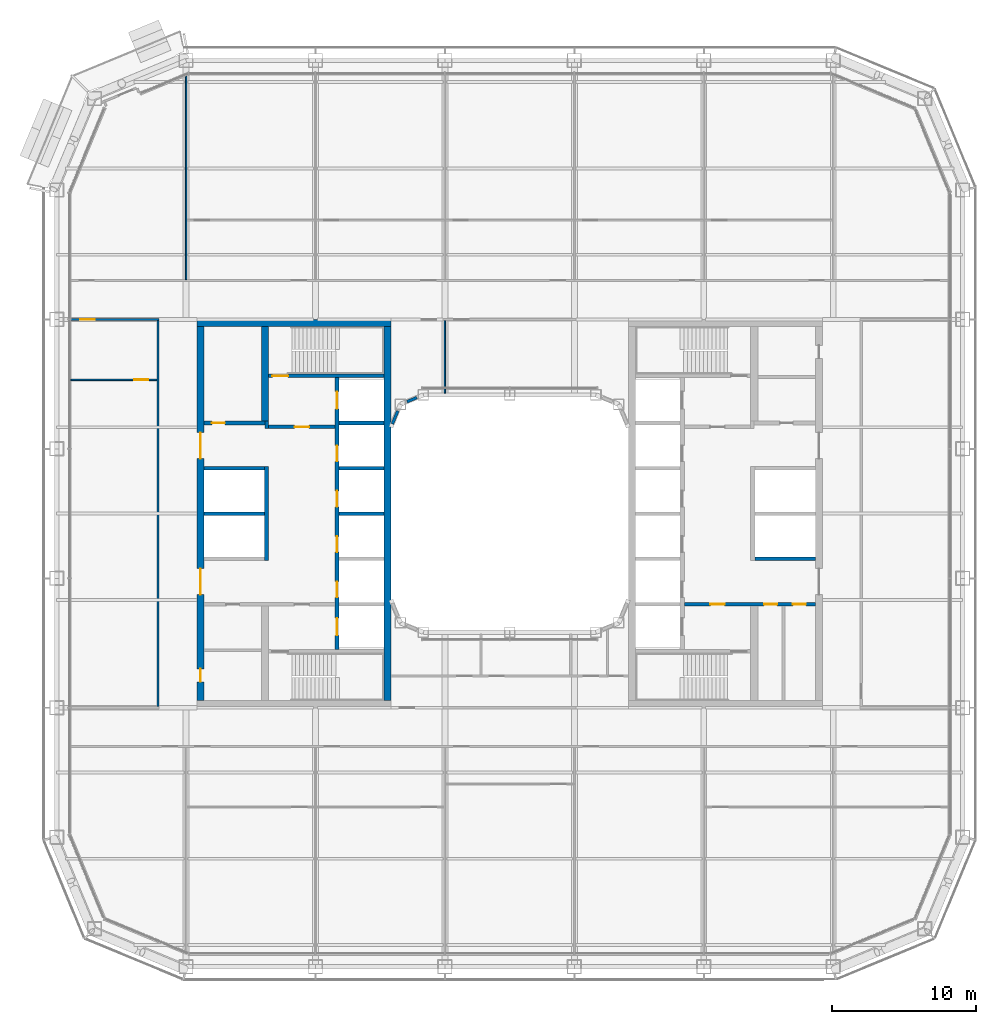
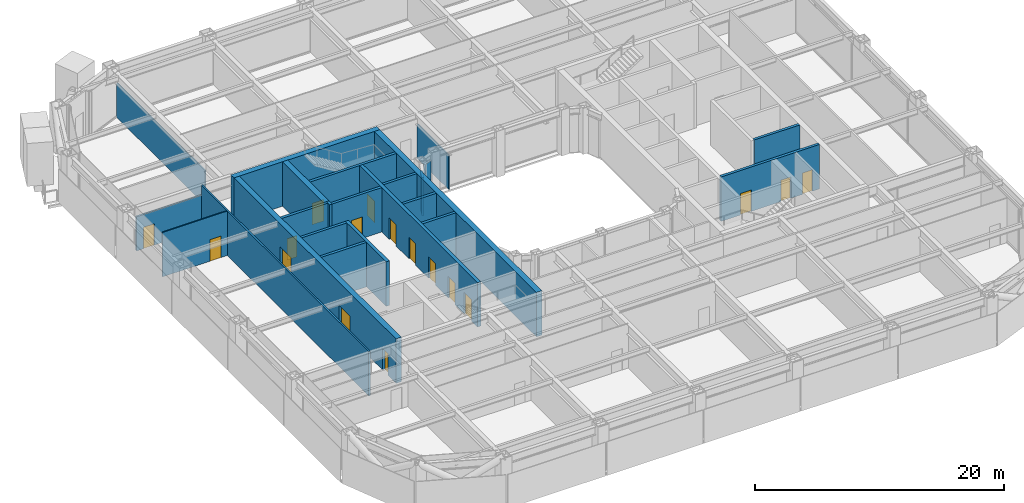
# One storey, part 14 of 29: 24 walls, 17 doors, 17 openings.
"""IFC4 building model written with IfcOpenShell, lengths in metres."""

from ifc_helpers import new_model, si_unit, direction, frame, frame_2d, origin, place, context, subcontext, project, spatial, rectangle, extrude, material, layer, layer_set, type_object, element, fill, save


model = new_model("IFC4")

# Units and contexts
model_context = context("Model", 3, precision=1e-05, world=origin(), true_north=direction((0.0, 1.0)))
body_context = subcontext(model_context, "Body", "Model", "MODEL_VIEW")
ifc_project = project(units=[si_unit("LENGTHUNIT", "METRE"), si_unit("AREAUNIT", "SQUARE_METRE"), si_unit("VOLUMEUNIT", "CUBIC_METRE"), si_unit("PLANEANGLEUNIT", "RADIAN"), si_unit("MASSUNIT", "GRAM", prefix="KILO")], contexts=[model_context])

# Site, building, storey
site_placement = place(None, origin())
site = spatial("IfcSite", under=ifc_project, at=site_placement, CompositionType="ELEMENT")
building_placement = place(site_placement, origin())
building = spatial("IfcBuilding", under=site, at=building_placement, Name="Siwar Civic Tower", CompositionType="ELEMENT")
storey_placement = place(building_placement, frame((0.0, 0.0, 67.199951171875)))
storey = spatial("IfcBuildingStorey", under=building, at=storey_placement, Name="L14", CompositionType="ELEMENT", Elevation=67.199951171875)

# Wall, opening, door
ifc_material_1 = material(Name="Concrete C60/75", Category="concrete")
ifc_layer_1 = layer(ifc_material_1, 0.25)
ifc_layer_set_1 = layer_set([ifc_layer_1], Name="Concrete C60/75")
wall_type_1 = type_object("IfcWallType", Name="CORE-WALL-RC250", PredefinedType="SHEAR", material=ifc_layer_set_1)
wall_1_placement = place(storey_placement, frame((-12.14990234375, 6.02490234375, 0.0), z_axis=(0.0, 0.0, 1.0), x_axis=(-1.0, 0.0, 0.0)))
wall_1 = element("IfcWall", 1, at=wall_1_placement, inside=storey, type_object=wall_type_1, Name="Core wall W", PredefinedType="SHEAR", context=body_context, shape_type="SweptSolid", body=[
    extrude(rectangle(XDim=4.60009765625, YDim=0.25, at=frame_2d((2.300048828125, 0.0))), origin(), (0.0, 0.0, 1.0), 4.35009765625),
])
opening_1_placement = place(wall_1_placement, frame((1.800048828125, 0.0, 0.0)))
opening_1 = element("IfcOpeningElement", 2, at=opening_1_placement, cuts=wall_1, Name="Opening L14-CW01", PredefinedType="OPENING", context=body_context, shape_type="SweptSolid", body=[
    extrude(rectangle(XDim=1.0, YDim=2.10009765625, at=frame_2d((0.5, 1.050048828125))), frame((0.0, 0.135009765625, 0.0), z_axis=(0.0, -1.0, 0.0), x_axis=(1.0, 0.0, 0.0)), (0.0, 0.0, 1.0), 0.27001953125),
])
ifc_material_2 = material(Name="Steel door leaf", Category="steel")
door_type_1 = type_object("IfcDoorType", Name="CORE-DOOR-FD30S", OperationType="SINGLE_SWING_LEFT", PredefinedType="DOOR", material=ifc_material_2)
door_1_placement = place(opening_1_placement, origin())
door_1 = element("IfcDoor", 3, at=door_1_placement, inside=storey, type_object=door_type_1, Name="Firefighting lobby door L14-CW01", OperationType="SINGLE_SWING_LEFT", OverallHeight=2.10009765625, OverallWidth=1.0, PredefinedType="DOOR", context=body_context, shape_type="SweptSolid", body=[
    extrude(rectangle(XDim=1.0, YDim=2.10009765625, at=frame_2d((0.5, 1.050048828125))), frame((0.0, 0.02490234375, 0.0), z_axis=(0.0, -1.0, 0.0), x_axis=(1.0, 0.0, 0.0)), (0.0, 0.0, 1.0), 0.050048828125),
])
fill(opening_1, door_1)

# Wall
wall_2_placement = place(storey_placement, frame((-16.875, 5.89990234375, 0.0), z_axis=(0.0, 0.0, 1.0), x_axis=(0.0, 1.0, 0.0)))
element("IfcWall", 4, at=wall_2_placement, inside=storey, type_object=wall_type_1, Name="Core wall W", PredefinedType="SHEAR", context=body_context, shape_type="SweptSolid", body=[
    extrude(rectangle(XDim=0.525146484375, YDim=0.25, at=frame_2d((0.2626953125, 0.0))), origin(), (0.0, 0.0, 1.0), 4.35009765625),
])

# Wall, opening, door
wall_3_placement = place(storey_placement, frame((-17.0, 6.300048828125, 0.0), z_axis=(0.0, 0.0, 1.0), x_axis=(-1.0, 0.0, 0.0)))
wall_3 = element("IfcWall", 5, at=wall_3_placement, inside=storey, type_object=wall_type_1, Name="Core wall W", PredefinedType="SHEAR", context=body_context, shape_type="SweptSolid", body=[
    extrude(rectangle(XDim=4.25, YDim=0.25, at=frame_2d((2.125, 0.0))), origin(), (0.0, 0.0, 1.0), 4.35009765625),
])
opening_2_placement = place(wall_3_placement, frame((2.800048828125, 0.0, 0.0)))
opening_2 = element("IfcOpeningElement", 6, at=opening_2_placement, cuts=wall_3, Name="Opening L14-CW13", PredefinedType="OPENING", context=body_context, shape_type="SweptSolid", body=[
    extrude(rectangle(XDim=0.89990234375, YDim=2.10009765625, at=frame_2d((0.449951171875, 1.050048828125))), frame((0.0, 0.135009765625, 0.0), z_axis=(0.0, -1.0, 0.0), x_axis=(1.0, 0.0, 0.0)), (0.0, 0.0, 1.0), 0.27001953125),
])
ifc_material_3 = material(Name="Steel door leaf", Category="steel")
door_type_2 = type_object("IfcDoorType", Name="CORE-DOOR-ROOM", OperationType="SINGLE_SWING_LEFT", PredefinedType="DOOR", material=ifc_material_3)
door_2_placement = place(opening_2_placement, origin())
door_2 = element("IfcDoor", 7, at=door_2_placement, inside=storey, type_object=door_type_2, Name="Core room door L14-CW13", OperationType="SINGLE_SWING_RIGHT", OverallHeight=2.10009765625, OverallWidth=0.89990234375, PredefinedType="DOOR", context=body_context, shape_type="SweptSolid", body=[
    extrude(rectangle(XDim=0.89990234375, YDim=2.10009765625, at=frame_2d((0.449951171875, 1.050048828125))), frame((0.0, 0.02490234375, 0.0), z_axis=(0.0, -1.0, 0.0), x_axis=(1.0, 0.0, 0.0)), (0.0, 0.0, 1.0), 0.050048828125),
])
fill(opening_2, door_2)

# Walls
for number, where, z_axis, x_axis, name in (
    (8, (-17.050048828125, 0.0, 0.0), (0.0, 0.0, 1.0), (-1.0, 0.0, 0.0), "Core wall W"),
    (9, (-17.050048828125, 3.14990234375, 0.0), (0.0, 0.0, 1.0), (-1.0, 0.0, 0.0), "Core wall W"),
):
    element("IfcWall", number, at=place(storey_placement, frame(where, z_axis=z_axis, x_axis=x_axis)), inside=storey, type_object=wall_type_1, Name=name, PredefinedType="SHEAR", context=body_context, shape_type="SweptSolid", body=[
        extrude(rectangle(XDim=4.199951171875, YDim=0.25, at=frame_2d((2.10009765625, 0.0))), origin(), (0.0, 0.0, 1.0), 4.35009765625),
    ])
for number, where, z_axis, x_axis, name in (
    (10, (-8.75, 0.0, 0.0), (0.0, 0.0, 1.0), (-1.0, 0.0, 0.0), "Core wall W"),
    (11, (-8.75, 3.14990234375, 0.0), (0.0, 0.0, 1.0), (-1.0, 0.0, 0.0), "Core wall W"),
    (12, (-8.75, 6.300048828125, 0.0), (0.0, 0.0, 1.0), (-1.0, 0.0, 0.0), "Core wall W"),
):
    element("IfcWall", number, at=place(storey_placement, frame(where, z_axis=z_axis, x_axis=x_axis)), inside=storey, type_object=wall_type_1, Name=name, PredefinedType="SHEAR", context=body_context, shape_type="SweptSolid", body=[
        extrude(rectangle(XDim=3.10009765625, YDim=0.25, at=frame_2d((1.550048828125, 0.0))), origin(), (0.0, 0.0, 1.0), 4.35009765625),
    ])

# Wall, opening, door
wall_4_placement = place(storey_placement, frame((-8.75, 9.574951171875, 0.0), z_axis=(0.0, 0.0, 1.0), x_axis=(-1.0, 0.0, 0.0)))
wall_4 = element("IfcWall", 13, at=wall_4_placement, inside=storey, type_object=wall_type_1, Name="Core wall W", PredefinedType="SHEAR", context=body_context, shape_type="SweptSolid", body=[
    extrude(rectangle(XDim=8.0, YDim=0.25, at=frame_2d((4.0, 0.0))), origin(), (0.0, 0.0, 1.0), 4.35009765625),
])
opening_3_placement = place(wall_4_placement, frame((6.64990234375, 0.0, 0.0)))
opening_3 = element("IfcOpeningElement", 14, at=opening_3_placement, cuts=wall_4, Name="Opening L14-CW03", PredefinedType="OPENING", context=body_context, shape_type="SweptSolid", body=[
    extrude(rectangle(XDim=1.10009765625, YDim=2.10009765625, at=frame_2d((0.550048828125, 1.050048828125))), frame((0.0, 0.135009765625, 0.0), z_axis=(0.0, -1.0, 0.0), x_axis=(1.0, 0.0, 0.0)), (0.0, 0.0, 1.0), 0.27001953125),
])
ifc_material_4 = material(Name="Steel door leaf", Category="steel")
door_type_3 = type_object("IfcDoorType", Name="CORE-DOOR-FD60S", OperationType="SINGLE_SWING_LEFT", PredefinedType="DOOR", material=ifc_material_4)
door_3_placement = place(opening_3_placement, origin())
door_3 = element("IfcDoor", 15, at=door_3_placement, inside=storey, type_object=door_type_3, Name="Stair door L14-CW03", OperationType="SINGLE_SWING_RIGHT", OverallHeight=2.10009765625, OverallWidth=1.10009765625, PredefinedType="DOOR", context=body_context, shape_type="SweptSolid", body=[
    extrude(rectangle(XDim=1.10009765625, YDim=2.10009765625, at=frame_2d((0.550048828125, 1.050048828125))), frame((0.0, 0.02490234375, 0.0), z_axis=(0.0, -1.0, 0.0), x_axis=(1.0, 0.0, 0.0)), (0.0, 0.0, 1.0), 0.050048828125),
])
fill(opening_3, door_3)

# Wall, openings, doors
wall_5_placement = place(storey_placement, frame((12.14990234375, -6.300048828125, 0.0), z_axis=(0.0, 0.0, 1.0), x_axis=(1.0, 0.0, 0.0)))
wall_5 = element("IfcWall", 16, at=wall_5_placement, inside=storey, type_object=wall_type_1, Name="Core wall E", PredefinedType="SHEAR", context=body_context, shape_type="SweptSolid", body=[
    extrude(rectangle(XDim=9.10009765625, YDim=0.25, at=frame_2d((4.550048828125, 0.0))), origin(), (0.0, 0.0, 1.0), 4.35009765625),
])
opening_4_placement = place(wall_5_placement, frame((1.800048828125, 0.0, 0.0)))
opening_4 = element("IfcOpeningElement", 17, at=opening_4_placement, cuts=wall_5, Name="Opening L14-CE02", PredefinedType="OPENING", context=body_context, shape_type="SweptSolid", body=[
    extrude(rectangle(XDim=1.0, YDim=2.10009765625, at=frame_2d((0.5, 1.050048828125))), frame((0.0, 0.135009765625, 0.0), z_axis=(0.0, -1.0, 0.0), x_axis=(1.0, 0.0, 0.0)), (0.0, 0.0, 1.0), 0.27001953125),
])
opening_5_placement = place(wall_5_placement, frame((5.550048828125, 0.0, 0.0)))
opening_5 = element("IfcOpeningElement", 18, at=opening_5_placement, cuts=wall_5, Name="Opening L14-CE15", PredefinedType="OPENING", context=body_context, shape_type="SweptSolid", body=[
    extrude(rectangle(XDim=0.89990234375, YDim=2.10009765625, at=frame_2d((0.449951171875, 1.050048828125))), frame((0.0, 0.135009765625, 0.0), z_axis=(0.0, -1.0, 0.0), x_axis=(1.0, 0.0, 0.0)), (0.0, 0.0, 1.0), 0.27001953125),
])
opening_6_placement = place(wall_5_placement, frame((7.550048828125, 0.0, 0.0)))
opening_6 = element("IfcOpeningElement", 19, at=opening_6_placement, cuts=wall_5, Name="Opening L14-CE16", PredefinedType="OPENING", context=body_context, shape_type="SweptSolid", body=[
    extrude(rectangle(XDim=0.89990234375, YDim=2.10009765625, at=frame_2d((0.449951171875, 1.050048828125))), frame((0.0, 0.135009765625, 0.0), z_axis=(0.0, -1.0, 0.0), x_axis=(1.0, 0.0, 0.0)), (0.0, 0.0, 1.0), 0.27001953125),
])
door_4_placement = place(opening_4_placement, origin())
door_4 = element("IfcDoor", 20, at=door_4_placement, inside=storey, type_object=door_type_1, Name="Service lobby door L14-CE02", OperationType="SINGLE_SWING_LEFT", OverallHeight=2.10009765625, OverallWidth=1.0, PredefinedType="DOOR", context=body_context, shape_type="SweptSolid", body=[
    extrude(rectangle(XDim=1.0, YDim=2.10009765625, at=frame_2d((0.5, 1.050048828125))), frame((0.0, 0.02490234375, 0.0), z_axis=(0.0, -1.0, 0.0), x_axis=(1.0, 0.0, 0.0)), (0.0, 0.0, 1.0), 0.050048828125),
])
fill(opening_4, door_4)
door_5_placement = place(opening_5_placement, origin())
door_5 = element("IfcDoor", 21, at=door_5_placement, inside=storey, type_object=door_type_2, Name="Core room door L14-CE15", OperationType="SINGLE_SWING_RIGHT", OverallHeight=2.10009765625, OverallWidth=0.89990234375, PredefinedType="DOOR", context=body_context, shape_type="SweptSolid", body=[
    extrude(rectangle(XDim=0.89990234375, YDim=2.10009765625, at=frame_2d((0.449951171875, 1.050048828125))), frame((0.0, 0.02490234375, 0.0), z_axis=(0.0, -1.0, 0.0), x_axis=(1.0, 0.0, 0.0)), (0.0, 0.0, 1.0), 0.050048828125),
])
fill(opening_5, door_5)
door_6_placement = place(opening_6_placement, origin())
door_6 = element("IfcDoor", 22, at=door_6_placement, inside=storey, type_object=door_type_2, Name="Core room door L14-CE16", OperationType="SINGLE_SWING_LEFT", OverallHeight=2.10009765625, OverallWidth=0.89990234375, PredefinedType="DOOR", context=body_context, shape_type="SweptSolid", body=[
    extrude(rectangle(XDim=0.89990234375, YDim=2.10009765625, at=frame_2d((0.449951171875, 1.050048828125))), frame((0.0, 0.02490234375, 0.0), z_axis=(0.0, -1.0, 0.0), x_axis=(1.0, 0.0, 0.0)), (0.0, 0.0, 1.0), 0.050048828125),
])
fill(opening_6, door_6)

# Wall
wall_6_placement = place(storey_placement, frame((17.050048828125, -3.14990234375, 0.0), z_axis=(0.0, 0.0, 1.0), x_axis=(1.0, 0.0, 0.0)))
element("IfcWall", 23, at=wall_6_placement, inside=storey, type_object=wall_type_1, Name="Core wall E", PredefinedType="SHEAR", context=body_context, shape_type="SweptSolid", body=[
    extrude(rectangle(XDim=4.199951171875, YDim=0.25, at=frame_2d((2.10009765625, 0.0))), origin(), (0.0, 0.0, 1.0), 4.35009765625),
])

# Wall, openings, doors
ifc_material_5 = material(Name="Concrete C60/75", Category="concrete")
ifc_layer_2 = layer(ifc_material_5, 0.300048828125)
ifc_layer_set_2 = layer_set([ifc_layer_2], Name="Concrete C60/75")
wall_type_2 = type_object("IfcWallType", Name="CORE-WALL-RC300", PredefinedType="SHEAR", material=ifc_layer_set_2)
wall_7_placement = place(storey_placement, frame((-12.0, -9.449951171875, 0.0), z_axis=(0.0, 0.0, 1.0), x_axis=(0.0, 1.0, 0.0)))
wall_7 = element("IfcWall", 24, at=wall_7_placement, inside=storey, type_object=wall_type_2, Name="Core wall W", PredefinedType="SHEAR", context=body_context, shape_type="SweptSolid", body=[
    extrude(rectangle(XDim=18.89990234375, YDim=0.300048828125, at=frame_2d((9.449951171875, 0.0))), origin(), (0.0, 0.0, 1.0), 4.35009765625),
])
opening_7_placement = place(wall_7_placement, frame((3.625, 0.0, 0.0)))
opening_7 = element("IfcOpeningElement", 25, at=opening_7_placement, cuts=wall_7, Name="Opening L14-CW07", PredefinedType="OPENING", context=body_context, shape_type="SweptSolid", body=[
    extrude(rectangle(XDim=1.10009765625, YDim=2.10009765625, at=frame_2d((0.550048828125, 1.050048828125))), frame((0.0, 0.16015625, 0.0), z_axis=(0.0, -1.0, 0.0), x_axis=(1.0, 0.0, 0.0)), (0.0, 0.0, 1.0), 0.320068359375),
])
opening_8_placement = place(wall_7_placement, frame((6.77490234375, 0.0, 0.0)))
opening_8 = element("IfcOpeningElement", 26, at=opening_8_placement, cuts=wall_7, Name="Opening L14-CW08", PredefinedType="OPENING", context=body_context, shape_type="SweptSolid", body=[
    extrude(rectangle(XDim=1.10009765625, YDim=2.10009765625, at=frame_2d((0.550048828125, 1.050048828125))), frame((0.0, 0.16015625, 0.0), z_axis=(0.0, -1.0, 0.0), x_axis=(1.0, 0.0, 0.0)), (0.0, 0.0, 1.0), 0.320068359375),
])
opening_9_placement = place(wall_7_placement, frame((9.925048828125, 0.0, 0.0)))
opening_9 = element("IfcOpeningElement", 27, at=opening_9_placement, cuts=wall_7, Name="Opening L14-CW09", PredefinedType="OPENING", context=body_context, shape_type="SweptSolid", body=[
    extrude(rectangle(XDim=1.10009765625, YDim=2.10009765625, at=frame_2d((0.550048828125, 1.050048828125))), frame((0.0, 0.16015625, 0.0), z_axis=(0.0, -1.0, 0.0), x_axis=(1.0, 0.0, 0.0)), (0.0, 0.0, 1.0), 0.320068359375),
])
opening_10_placement = place(wall_7_placement, frame((13.074951171875, 0.0, 0.0)))
opening_10 = element("IfcOpeningElement", 28, at=opening_10_placement, cuts=wall_7, Name="Opening L14-CW10", PredefinedType="OPENING", context=body_context, shape_type="SweptSolid", body=[
    extrude(rectangle(XDim=1.10009765625, YDim=2.10009765625, at=frame_2d((0.550048828125, 1.050048828125))), frame((0.0, 0.16015625, 0.0), z_axis=(0.0, -1.0, 0.0), x_axis=(1.0, 0.0, 0.0)), (0.0, 0.0, 1.0), 0.320068359375),
])
opening_11_placement = place(wall_7_placement, frame((16.72509765625, 0.0, 0.0)))
opening_11 = element("IfcOpeningElement", 29, at=opening_11_placement, cuts=wall_7, Name="Opening L14-CW11", PredefinedType="OPENING", context=body_context, shape_type="SweptSolid", body=[
    extrude(rectangle(XDim=1.199951171875, YDim=2.10009765625, at=frame_2d((0.60009765625, 1.050048828125))), frame((0.0, 0.16015625, 0.0), z_axis=(0.0, -1.0, 0.0), x_axis=(1.0, 0.0, 0.0)), (0.0, 0.0, 1.0), 0.320068359375),
])
opening_12_placement = place(wall_7_placement, frame((0.97509765625, 0.0, 0.0)))
opening_12 = element("IfcOpeningElement", 30, at=opening_12_placement, cuts=wall_7, Name="Opening L14-CW12", PredefinedType="OPENING", context=body_context, shape_type="SweptSolid", body=[
    extrude(rectangle(XDim=1.199951171875, YDim=2.10009765625, at=frame_2d((0.60009765625, 1.050048828125))), frame((0.0, 0.16015625, 0.0), z_axis=(0.0, -1.0, 0.0), x_axis=(1.0, 0.0, 0.0)), (0.0, 0.0, 1.0), 0.320068359375),
])
ifc_material_6 = material(Name="Steel door leaf", Category="steel")
door_type_4 = type_object("IfcDoorType", Name="CORE-DOOR-LD", OperationType="DOUBLE_DOOR_SLIDING", PredefinedType="DOOR", material=ifc_material_6)
door_7_placement = place(opening_7_placement, origin())
door_7 = element("IfcDoor", 31, at=door_7_placement, inside=storey, type_object=door_type_4, Name="Landing door LR1 L14-CW07", OperationType="DOUBLE_DOOR_SLIDING", OverallHeight=2.10009765625, OverallWidth=1.10009765625, PredefinedType="DOOR", context=body_context, shape_type="SweptSolid", body=[
    extrude(rectangle(XDim=1.10009765625, YDim=2.10009765625, at=frame_2d((0.550048828125, 1.050048828125))), frame((0.0, 0.02490234375, 0.0), z_axis=(0.0, -1.0, 0.0), x_axis=(1.0, 0.0, 0.0)), (0.0, 0.0, 1.0), 0.050048828125),
])
fill(opening_7, door_7)
door_8_placement = place(opening_8_placement, origin())
door_8 = element("IfcDoor", 32, at=door_8_placement, inside=storey, type_object=door_type_4, Name="Landing door LR2 L14-CW08", OperationType="DOUBLE_DOOR_SLIDING", OverallHeight=2.10009765625, OverallWidth=1.10009765625, PredefinedType="DOOR", context=body_context, shape_type="SweptSolid", body=[
    extrude(rectangle(XDim=1.10009765625, YDim=2.10009765625, at=frame_2d((0.550048828125, 1.050048828125))), frame((0.0, 0.02490234375, 0.0), z_axis=(0.0, -1.0, 0.0), x_axis=(1.0, 0.0, 0.0)), (0.0, 0.0, 1.0), 0.050048828125),
])
fill(opening_8, door_8)
door_9_placement = place(opening_9_placement, origin())
door_9 = element("IfcDoor", 33, at=door_9_placement, inside=storey, type_object=door_type_4, Name="Landing door LR3 L14-CW09", OperationType="DOUBLE_DOOR_SLIDING", OverallHeight=2.10009765625, OverallWidth=1.10009765625, PredefinedType="DOOR", context=body_context, shape_type="SweptSolid", body=[
    extrude(rectangle(XDim=1.10009765625, YDim=2.10009765625, at=frame_2d((0.550048828125, 1.050048828125))), frame((0.0, 0.02490234375, 0.0), z_axis=(0.0, -1.0, 0.0), x_axis=(1.0, 0.0, 0.0)), (0.0, 0.0, 1.0), 0.050048828125),
])
fill(opening_9, door_9)
door_10_placement = place(opening_10_placement, origin())
door_10 = element("IfcDoor", 34, at=door_10_placement, inside=storey, type_object=door_type_4, Name="Landing door LR4 L14-CW10", OperationType="DOUBLE_DOOR_SLIDING", OverallHeight=2.10009765625, OverallWidth=1.10009765625, PredefinedType="DOOR", context=body_context, shape_type="SweptSolid", body=[
    extrude(rectangle(XDim=1.10009765625, YDim=2.10009765625, at=frame_2d((0.550048828125, 1.050048828125))), frame((0.0, 0.02490234375, 0.0), z_axis=(0.0, -1.0, 0.0), x_axis=(1.0, 0.0, 0.0)), (0.0, 0.0, 1.0), 0.050048828125),
])
fill(opening_10, door_10)
ifc_material_7 = material(Name="Steel door leaf", Category="steel")
door_type_5 = type_object("IfcDoorType", Name="CORE-DOOR-LDW", OperationType="DOUBLE_DOOR_SLIDING", PredefinedType="DOOR", material=ifc_material_7)
door_11_placement = place(opening_11_placement, origin())
door_11 = element("IfcDoor", 35, at=door_11_placement, inside=storey, type_object=door_type_5, Name="Landing door FF1 L14-CW11", OperationType="DOUBLE_DOOR_SLIDING", OverallHeight=2.10009765625, OverallWidth=1.199951171875, PredefinedType="DOOR", context=body_context, shape_type="SweptSolid", body=[
    extrude(rectangle(XDim=1.199951171875, YDim=2.10009765625, at=frame_2d((0.60009765625, 1.050048828125))), frame((0.0, 0.02490234375, 0.0), z_axis=(0.0, -1.0, 0.0), x_axis=(1.0, 0.0, 0.0)), (0.0, 0.0, 1.0), 0.050048828125),
])
fill(opening_11, door_11)
door_12_placement = place(opening_12_placement, origin())
door_12 = element("IfcDoor", 36, at=door_12_placement, inside=storey, type_object=door_type_5, Name="Landing door SV1 L14-CW12", OperationType="DOUBLE_DOOR_SLIDING", OverallHeight=2.10009765625, OverallWidth=1.199951171875, PredefinedType="DOOR", context=body_context, shape_type="SweptSolid", body=[
    extrude(rectangle(XDim=1.199951171875, YDim=2.10009765625, at=frame_2d((0.60009765625, 1.050048828125))), frame((0.0, 0.02490234375, 0.0), z_axis=(0.0, -1.0, 0.0), x_axis=(1.0, 0.0, 0.0)), (0.0, 0.0, 1.0), 0.050048828125),
])
fill(opening_12, door_12)

# Wall
wall_8_placement = place(storey_placement, frame((-16.89990234375, -3.27490234375, 0.0), z_axis=(0.0, 0.0, 1.0), x_axis=(0.0, 1.0, 0.0)))
element("IfcWall", 37, at=wall_8_placement, inside=storey, type_object=wall_type_2, Name="Core wall W", PredefinedType="SHEAR", context=body_context, shape_type="SweptSolid", body=[
    extrude(rectangle(XDim=6.5498046875, YDim=0.300048828125, at=frame_2d((3.27490234375, 0.0))), origin(), (0.0, 0.0, 1.0), 4.35009765625),
])

# Wall, openings, doors
ifc_material_8 = material(Name="Concrete C60/75", Category="concrete")
ifc_layer_3 = layer(ifc_material_8, 0.5)
ifc_layer_set_3 = layer_set([ifc_layer_3], Name="Concrete C60/75")
wall_type_3 = type_object("IfcWallType", Name="CORE-WALL-RC500", PredefinedType="SHEAR", material=ifc_layer_set_3)
wall_9_placement = place(storey_placement, frame((-21.5, -13.0, 0.0), z_axis=(0.0, 0.0, 1.0), x_axis=(0.0, 1.0, 0.0)))
wall_9 = element("IfcWall", 38, at=wall_9_placement, inside=storey, type_object=wall_type_3, Name="Core wall W", PredefinedType="SHEAR", context=body_context, shape_type="SweptSolid", body=[
    extrude(rectangle(XDim=26.0, YDim=0.5, at=frame_2d((13.0, 0.0))), origin(), (0.0, 0.0, 1.0), 4.35009765625),
])
opening_13_placement = place(wall_9_placement, frame((16.824951171875, 0.0, 0.0)))
opening_13 = element("IfcOpeningElement", 39, at=opening_13_placement, cuts=wall_9, Name="Opening L14-CW05", PredefinedType="OPENING", context=body_context, shape_type="SweptSolid", body=[
    extrude(rectangle(XDim=1.800048828125, YDim=2.10009765625, at=frame_2d((0.89990234375, 1.050048828125))), frame((0.0, 0.260009765625, 0.0), z_axis=(0.0, -1.0, 0.0), x_axis=(1.0, 0.0, 0.0)), (0.0, 0.0, 1.0), 0.52001953125),
])
opening_14_placement = place(wall_9_placement, frame((7.375, 0.0, 0.0)))
opening_14 = element("IfcOpeningElement", 40, at=opening_14_placement, cuts=wall_9, Name="Opening L14-CW06", PredefinedType="OPENING", context=body_context, shape_type="SweptSolid", body=[
    extrude(rectangle(XDim=1.800048828125, YDim=2.10009765625, at=frame_2d((0.89990234375, 1.050048828125))), frame((0.0, 0.260009765625, 0.0), z_axis=(0.0, -1.0, 0.0), x_axis=(1.0, 0.0, 0.0)), (0.0, 0.0, 1.0), 0.52001953125),
])
opening_15_placement = place(wall_9_placement, frame((1.300048828125, 0.0, 0.0)))
opening_15 = element("IfcOpeningElement", 41, at=opening_15_placement, cuts=wall_9, Name="Opening L14-CW15", PredefinedType="OPENING", context=body_context, shape_type="SweptSolid", body=[
    extrude(rectangle(XDim=0.89990234375, YDim=2.10009765625, at=frame_2d((0.449951171875, 1.050048828125))), frame((0.0, 0.260009765625, 0.0), z_axis=(0.0, -1.0, 0.0), x_axis=(1.0, 0.0, 0.0)), (0.0, 0.0, 1.0), 0.52001953125),
])
ifc_material_9 = material(Name="Steel door leaf", Category="steel")
door_type_6 = type_object("IfcDoorType", Name="CORE-DOOR-PORT", OperationType="DOUBLE_DOOR_DOUBLE_SWING", PredefinedType="DOOR", material=ifc_material_9)
door_13_placement = place(opening_13_placement, origin())
door_13 = element("IfcDoor", 42, at=door_13_placement, inside=storey, type_object=door_type_6, Name="Core entrance door L14-CW05", OperationType="DOUBLE_DOOR_DOUBLE_SWING", OverallHeight=2.10009765625, OverallWidth=1.800048828125, PredefinedType="DOOR", context=body_context, shape_type="SweptSolid", body=[
    extrude(rectangle(XDim=1.800048828125, YDim=2.10009765625, at=frame_2d((0.89990234375, 1.050048828125))), frame((0.0, 0.02490234375, 0.0), z_axis=(0.0, -1.0, 0.0), x_axis=(1.0, 0.0, 0.0)), (0.0, 0.0, 1.0), 0.050048828125),
])
fill(opening_13, door_13)
door_14_placement = place(opening_14_placement, origin())
door_14 = element("IfcDoor", 43, at=door_14_placement, inside=storey, type_object=door_type_6, Name="Core entrance door L14-CW06", OperationType="DOUBLE_DOOR_DOUBLE_SWING", OverallHeight=2.10009765625, OverallWidth=1.800048828125, PredefinedType="DOOR", context=body_context, shape_type="SweptSolid", body=[
    extrude(rectangle(XDim=1.800048828125, YDim=2.10009765625, at=frame_2d((0.89990234375, 1.050048828125))), frame((0.0, 0.02490234375, 0.0), z_axis=(0.0, -1.0, 0.0), x_axis=(1.0, 0.0, 0.0)), (0.0, 0.0, 1.0), 0.050048828125),
])
fill(opening_14, door_14)
door_15_placement = place(opening_15_placement, origin())
door_15 = element("IfcDoor", 44, at=door_15_placement, inside=storey, type_object=door_type_2, Name="Core room door L14-CW15", OperationType="SINGLE_SWING_RIGHT", OverallHeight=2.10009765625, OverallWidth=0.89990234375, PredefinedType="DOOR", context=body_context, shape_type="SweptSolid", body=[
    extrude(rectangle(XDim=0.89990234375, YDim=2.10009765625, at=frame_2d((0.449951171875, 1.050048828125))), frame((0.0, 0.02490234375, 0.0), z_axis=(0.0, -1.0, 0.0), x_axis=(1.0, 0.0, 0.0)), (0.0, 0.0, 1.0), 0.050048828125),
])
fill(opening_15, door_15)

# Walls
wall_10_placement = place(storey_placement, frame((-17.0, 6.425048828125, 0.0), z_axis=(0.0, 0.0, 1.0), x_axis=(0.0, 1.0, 0.0)))
element("IfcWall", 45, at=wall_10_placement, inside=storey, type_object=wall_type_3, Name="Core wall W", PredefinedType="SHEAR", context=body_context, shape_type="SweptSolid", body=[
    extrude(rectangle(XDim=6.574951171875, YDim=0.5, at=frame_2d((3.28759765625, 0.0))), origin(), (0.0, 0.0, 1.0), 4.35009765625),
])
wall_11_placement = place(storey_placement, frame((-8.25, 13.25, 0.0), z_axis=(0.0, 0.0, 1.0), x_axis=(-1.0, 0.0, 0.0)))
element("IfcWall", 46, at=wall_11_placement, inside=storey, type_object=wall_type_3, Name="Core wall W", PredefinedType="SHEAR", context=body_context, shape_type="SweptSolid", body=[
    extrude(rectangle(XDim=13.5, YDim=0.5, at=frame_2d((6.75, 0.0))), origin(), (0.0, 0.0, 1.0), 4.35009765625),
])
ifc_material_10 = material(Name="Concrete C60/75", Category="concrete")
ifc_layer_4 = layer(ifc_material_10, 0.5)
ifc_layer_set_4 = layer_set([ifc_layer_4], Name="Concrete C60/75")
wall_type_4 = type_object("IfcWallType", Name="CORE-WALL-RC500-EXT", PredefinedType="SHEAR", material=ifc_layer_set_4)
wall_12_placement = place(storey_placement, frame((-8.5, -13.0, 0.0), z_axis=(0.0, 0.0, 1.0), x_axis=(0.0, 1.0, 0.0)))
element("IfcWall", 47, at=wall_12_placement, inside=storey, type_object=wall_type_4, Name="Core wall W", PredefinedType="SHEAR", context=body_context, shape_type="SweptSolid", body=[
    extrude(rectangle(XDim=26.0, YDim=0.5, at=frame_2d((13.0, 0.0))), origin(), (0.0, 0.0, 1.0), 4.35009765625),
])

# Wall, opening, door
ifc_material_11 = material(Name="Gypsum board on steel studs", Category="steel")
ifc_layer_5 = layer(ifc_material_11, 0.14990234375)
ifc_layer_set_5 = layer_set([ifc_layer_5], Name="Gypsum board on steel studs")
wall_type_5 = type_object("IfcWallType", Name="CORRIDOR PARTITION 150 EI 30", PredefinedType="PARTITIONING", material=ifc_layer_set_5)
wall_13_placement = place(storey_placement, frame((-30.510009765625, 13.5, 0.0), z_axis=(0.0, 0.0, 1.0), x_axis=(1.0, 0.0, 0.0)))
wall_13 = element("IfcWall", 48, at=wall_13_placement, inside=storey, type_object=wall_type_5, Name="L14/wall/P11", PredefinedType="PARTITIONING", context=body_context, shape_type="SweptSolid", body=[
    extrude(rectangle(XDim=6.135009765625, YDim=0.14990234375, at=frame_2d((3.0673828125, 0.0))), origin(), (0.0, 0.0, 1.0), 3.35009765625),
])
opening_16_placement = place(wall_13_placement, frame((0.64990234375, 0.0, 0.0)))
opening_16 = element("IfcOpeningElement", 49, at=opening_16_placement, cuts=wall_13, Name="Opening D1", PredefinedType="OPENING", context=body_context, shape_type="SweptSolid", body=[
    extrude(rectangle(XDim=1.0, YDim=2.10009765625, at=frame_2d((0.5, 1.050048828125))), frame((0.0, 0.0849609375, 0.0), z_axis=(0.0, -1.0, 0.0), x_axis=(1.0, 0.0, 0.0)), (0.0, 0.0, 1.0), 0.169921875),
])
ifc_material_12 = material(Name="Timber, painted", Category="wood")
door_type_7 = type_object("IfcDoorType", Name="DOOR 1000 X 2100 FD30", OperationType="SINGLE_SWING_LEFT", PredefinedType="DOOR", material=ifc_material_12)
door_16_placement = place(opening_16_placement, origin())
door_16 = element("IfcDoor", 50, at=door_16_placement, inside=storey, type_object=door_type_7, Name="L14-D25", OperationType="SINGLE_SWING_LEFT", OverallHeight=2.10009765625, OverallWidth=1.0, PredefinedType="DOOR", context=body_context, shape_type="SweptSolid", body=[
    extrude(rectangle(XDim=1.0, YDim=2.10009765625, at=frame_2d((0.5, 1.050048828125))), frame((0.0, 0.02490234375, 0.0), z_axis=(0.0, -1.0, 0.0), x_axis=(1.0, 0.0, 0.0)), (0.0, 0.0, 1.0), 0.050048828125),
])
fill(opening_16, door_16)

# Walls
wall_14_placement = place(storey_placement, frame((-24.449951171875, -13.425048828125, 0.0), z_axis=(0.0, 0.0, 1.0), x_axis=(0.0, 1.0, 0.0)))
element("IfcWall", 51, at=wall_14_placement, inside=storey, type_object=wall_type_5, Name="L14/wall/P16", PredefinedType="PARTITIONING", context=body_context, shape_type="SweptSolid", body=[
    extrude(rectangle(XDim=26.85009765625, YDim=0.14990234375, at=frame_2d((13.425048828125, 0.0))), origin(), (0.0, 0.0, 1.0), 4.35009765625),
])
ifc_material_13 = material(Name="Aluminium clad insulated panel", Category="aluminium")
ifc_layer_6 = layer(ifc_material_13, 0.199951171875)
ifc_layer_set_6 = layer_set([ifc_layer_6], Name="Aluminium clad insulated panel")
wall_type_6 = type_object("IfcWallType", Name="ENV-WALL-WELL", PredefinedType="STANDARD", material=ifc_layer_set_6)
wall_15_placement = place(storey_placement, frame((-6.45263671875, 8.0625, 0.0), z_axis=(0.0, 0.0, 1.0), x_axis=(-0.923940677943, -0.382535780864, 0.0)))
element("IfcWall", 52, at=wall_15_placement, inside=storey, type_object=wall_type_6, Name="Light well corner wall NW1", PredefinedType="STANDARD", context=body_context, shape_type="SweptSolid", body=[
    extrude(rectangle(XDim=0.7421875, YDim=0.199951171875, at=frame_2d((0.37109375, 0.0))), origin(), (0.0, 0.0, 1.0), 3.72998046875),
])
wall_16_placement = place(storey_placement, frame((-7.778564453125, 7.138427734375, 0.0), z_axis=(0.0, 0.0, 1.0), x_axis=(-0.382549378284, -0.923935048136, 0.0)))
element("IfcWall", 53, at=wall_16_placement, inside=storey, type_object=wall_type_6, Name="Light well corner wall NW2", PredefinedType="STANDARD", context=body_context, shape_type="SweptSolid", body=[
    extrude(rectangle(XDim=0.982177734375, YDim=0.199951171875, at=frame_2d((0.4912109375, 0.0))), origin(), (0.0, 0.0, 1.0), 3.72998046875),
])

# Wall, opening, door
ifc_material_14 = material(Name="Gypsum board on steel studs", Category="steel")
ifc_layer_7 = layer(ifc_material_14, 0.10009765625)
ifc_layer_set_7 = layer_set([ifc_layer_7], Name="Gypsum board on steel studs")
wall_type_7 = type_object("IfcWallType", Name="PARTITION 100 GYPSUM", PredefinedType="PARTITIONING", material=ifc_layer_set_7)
wall_17_placement = place(storey_placement, frame((-30.510009765625, 9.300048828125, 0.0), z_axis=(0.0, 0.0, 1.0), x_axis=(1.0, 0.0, 0.0)))
wall_17 = element("IfcWall", 54, at=wall_17_placement, inside=storey, type_object=wall_type_7, Name="L14/wall/P10", PredefinedType="PARTITIONING", context=body_context, shape_type="SweptSolid", body=[
    extrude(rectangle(XDim=5.985107421875, YDim=0.10009765625, at=frame_2d((2.99267578125, 0.0))), origin(), (0.0, 0.0, 1.0), 4.35009765625),
])
opening_17_placement = place(wall_17_placement, frame((4.39990234375, 0.0, 0.0)))
opening_17 = element("IfcOpeningElement", 55, at=opening_17_placement, cuts=wall_17, Name="Opening D2", PredefinedType="OPENING", context=body_context, shape_type="SweptSolid", body=[
    extrude(rectangle(XDim=1.0, YDim=2.10009765625, at=frame_2d((0.5, 1.050048828125))), frame((0.0, 0.06005859375, 0.0), z_axis=(0.0, -1.0, 0.0), x_axis=(1.0, 0.0, 0.0)), (0.0, 0.0, 1.0), 0.1201171875),
])
ifc_material_15 = material(Name="Timber, painted", Category="wood")
door_type_8 = type_object("IfcDoorType", Name="DOOR 1000 X 2100", OperationType="SINGLE_SWING_LEFT", PredefinedType="DOOR", material=ifc_material_15)
door_17_placement = place(opening_17_placement, origin())
door_17 = element("IfcDoor", 56, at=door_17_placement, inside=storey, type_object=door_type_8, Name="L14-D26", OperationType="SINGLE_SWING_RIGHT", OverallHeight=2.10009765625, OverallWidth=1.0, PredefinedType="DOOR", context=body_context, shape_type="SweptSolid", body=[
    extrude(rectangle(XDim=1.0, YDim=2.10009765625, at=frame_2d((0.5, 1.050048828125))), frame((0.0, 0.02490234375, 0.0), z_axis=(0.0, -1.0, 0.0), x_axis=(1.0, 0.0, 0.0)), (0.0, 0.0, 1.0), 0.050048828125),
])
fill(opening_17, door_17)

# Walls
wall_18_placement = place(storey_placement, frame((-22.5, 16.27490234375, 0.0), z_axis=(0.0, 0.0, 1.0), x_axis=(0.0, 1.0, 0.0)))
element("IfcWall", 57, at=wall_18_placement, inside=storey, type_object=wall_type_7, Name="L14/wall/P18", PredefinedType="PARTITIONING", context=body_context, shape_type="SweptSolid", body=[
    extrude(rectangle(XDim=14.153076171875, YDim=0.10009765625, at=frame_2d((7.07666015625, 0.0))), origin(), (0.0, 0.0, 1.0), 3.35009765625),
])
wall_19_placement = place(storey_placement, frame((-4.5, 8.3701171875, 0.0), z_axis=(0.0, 0.0, 1.0), x_axis=(0.0, 1.0, 0.0)))
element("IfcWall", 58, at=wall_19_placement, inside=storey, type_object=wall_type_7, Name="L14/wall/P24", PredefinedType="PARTITIONING", context=body_context, shape_type="SweptSolid", body=[
    extrude(rectangle(XDim=5.054931640625, YDim=0.10009765625, at=frame_2d((2.52734375, 0.0))), origin(), (0.0, 0.0, 1.0), 3.35009765625),
])

save(model, "model.ifc")
